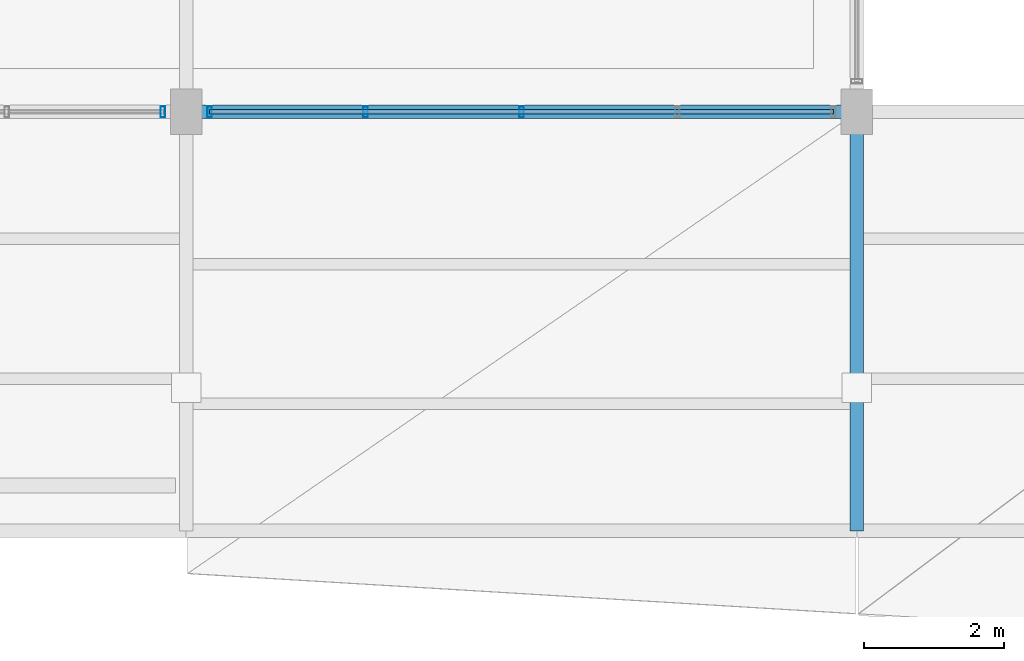
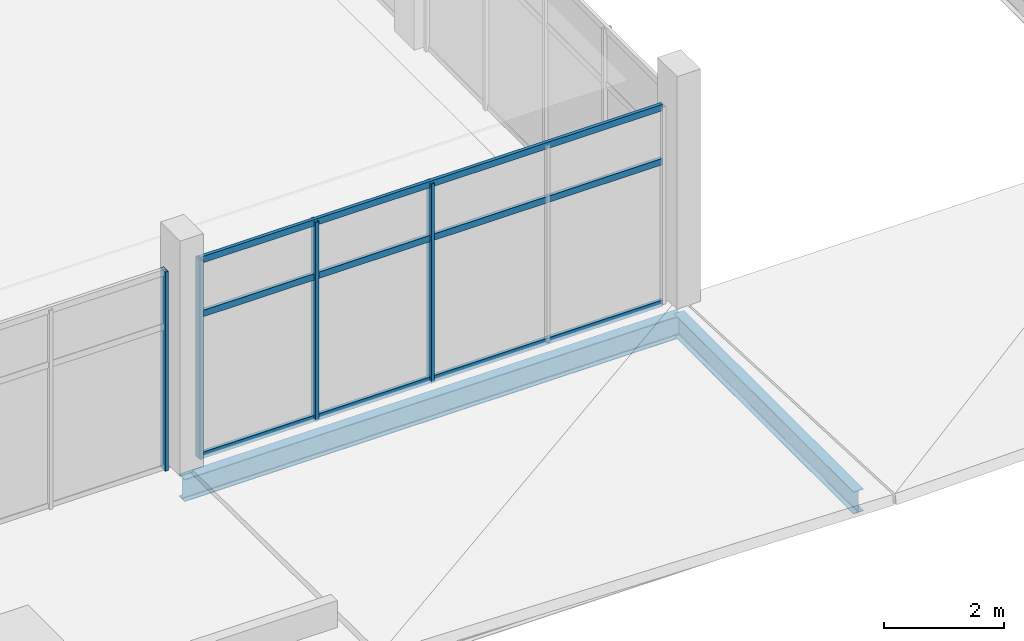
# One storey, part 24 of 157: 7 members, 2 beams, 2 elements without a shape of their own.
"""IFC4 building model written with IfcOpenShell, lengths in metres."""

from ifc_helpers import new_model, si_unit, direction, frame, origin, origin_2d, place, context, subcontext, project, spatial, hollow_rectangle, i_section, extrude, material, layer, layer_set, material_profile, profile_set, type_object, element, aggregate, save


model = new_model("IFC4")

# Units and contexts
model_context = context("Model", 3, precision=1e-05, world=origin(), true_north=direction((0.0, 1.0)))
body_context = subcontext(model_context, "Body", "Model", "MODEL_VIEW")
ifc_project = project(units=[si_unit("LENGTHUNIT", "METRE"), si_unit("AREAUNIT", "SQUARE_METRE"), si_unit("VOLUMEUNIT", "CUBIC_METRE"), si_unit("PLANEANGLEUNIT", "RADIAN"), si_unit("MASSUNIT", "GRAM", prefix="KILO")], contexts=[model_context])

# Site, building, storey
site_placement = place(None, origin())
site = spatial("IfcSite", under=ifc_project, at=site_placement, CompositionType="ELEMENT")
building_placement = place(site_placement, origin())
building = spatial("IfcBuilding", under=site, at=building_placement, Name="Chalmorin Arch Market", CompositionType="ELEMENT")
storey_placement = place(building_placement, frame((0.0, 0.0, 4.800048828125)))
storey = spatial("IfcBuildingStorey", under=building, at=storey_placement, Name="L01", CompositionType="ELEMENT", Elevation=4.800048828125)

# Curtain wall, member
ifc_material_1 = material(Name="Aluminium 6063-T6", Category="aluminium")
ifc_layer = layer(ifc_material_1, 0.159912109375)
ifc_layer_set = layer_set([ifc_layer], Name="Aluminium 6063-T6")
curtain_wall_type = type_object("IfcCurtainWallType", Name="RiverfrontStorefrontCurtainWall-CW2-8930x4070", PredefinedType="NOTDEFINED", material=ifc_layer_set)
curtain_wall_1_placement = place(storey_placement, origin())
curtain_wall_1 = element("IfcCurtainWall", 1, at=curtain_wall_1_placement, inside=storey, type_object=curtain_wall_type, Name="CW-02-096", PredefinedType="NOTDEFINED")
ifc_material_profile_1 = material_profile(ifc_material_1, hollow_rectangle(XDim=0.06494140625, YDim=0.159912109375, WallThickness=0.00390625, at=origin_2d()), Name="ALU65X160X4")
ifc_profile_set_1 = profile_set([ifc_material_profile_1], Name="Aluminium 6063-T6")
member_type_1 = type_object("IfcMemberType", Name="CurtainWallMullion-65x160", PredefinedType="MULLION", material=ifc_profile_set_1)
member_1_placement = place(storey_placement, frame((28.465087890625, 6.0, 0.0), z_axis=(0.0, 0.0, 1.0), x_axis=(1.0, 0.0, 0.0)))
member_1 = element("IfcMember", 2, at=member_1_placement, type_object=member_type_1, Name="ML-096-05", PredefinedType="MULLION", context=body_context, shape_type="SweptSolid", body=[
    extrude(hollow_rectangle(XDim=0.06494140625, YDim=0.159912109375, WallThickness=0.00390625, at=origin_2d()), origin(), (0.0, 0.0, 1.0), 4.06591796875),
])
aggregate(curtain_wall_1, [member_1])

# Curtain wall, members
curtain_wall_2_placement = place(storey_placement, origin())
curtain_wall_2 = element("IfcCurtainWall", 3, at=curtain_wall_2_placement, inside=storey, type_object=curtain_wall_type, Name="CW-02-097", PredefinedType="NOTDEFINED")
member_2_placement = place(storey_placement, frame((29.135009765625, 6.0, 0.0), z_axis=(0.0, 0.0, 1.0), x_axis=(1.0, 0.0, 0.0)))
member_2 = element("IfcMember", 4, at=member_2_placement, type_object=member_type_1, Name="ML-097-01", PredefinedType="MULLION", context=body_context, shape_type="SweptSolid", body=[
    extrude(hollow_rectangle(XDim=0.06494140625, YDim=0.159912109375, WallThickness=0.00390625, at=origin_2d()), origin(), (0.0, 0.0, 1.0), 4.06591796875),
])
member_3_placement = place(storey_placement, frame((31.367431640625, 6.0, 0.0), z_axis=(0.0, 0.0, 1.0), x_axis=(1.0, 0.0, 0.0)))
member_3 = element("IfcMember", 5, at=member_3_placement, type_object=member_type_1, Name="ML-097-02", PredefinedType="MULLION", context=body_context, shape_type="SweptSolid", body=[
    extrude(hollow_rectangle(XDim=0.06494140625, YDim=0.159912109375, WallThickness=0.00390625, at=origin_2d()), origin(), (0.0, 0.0, 1.0), 4.06591796875),
])
member_4_placement = place(storey_placement, frame((33.60009765625, 6.0, 0.0), z_axis=(0.0, 0.0, 1.0), x_axis=(1.0, 0.0, 0.0)))
member_4 = element("IfcMember", 6, at=member_4_placement, type_object=member_type_1, Name="ML-097-03", PredefinedType="MULLION", context=body_context, shape_type="SweptSolid", body=[
    extrude(hollow_rectangle(XDim=0.06494140625, YDim=0.159912109375, WallThickness=0.00390625, at=origin_2d()), origin(), (0.0, 0.0, 1.0), 4.06591796875),
])
ifc_material_profile_2 = material_profile(ifc_material_1, hollow_rectangle(XDim=0.06494140625, YDim=0.1298828125, WallThickness=0.00390625, at=origin_2d()), Name="ALU65X130X4")
ifc_profile_set_2 = profile_set([ifc_material_profile_2], Name="Aluminium 6063-T6")
member_type_2 = type_object("IfcMemberType", Name="CurtainWallTransom-65x130", PredefinedType="USERDEFINED", material=ifc_profile_set_2)
member_5_placement = place(storey_placement, frame((29.135009765625, 6.0, 0.034912109375), z_axis=(1.0, 0.0, 0.0), x_axis=(0.0, 1.0, 0.0)))
member_5 = element("IfcMember", 7, at=member_5_placement, type_object=member_type_2, Name="TR-097-01", ObjectType="TRANSOM", PredefinedType="USERDEFINED", context=body_context, shape_type="SweptSolid", body=[
    extrude(hollow_rectangle(XDim=0.06494140625, YDim=0.1298828125, WallThickness=0.00390625, at=origin_2d()), origin(), (0.0, 0.0, 1.0), 8.929931640625),
])
member_6_placement = place(storey_placement, frame((29.135009765625, 6.0, 2.927490234375), z_axis=(1.0, 0.0, 0.0), x_axis=(0.0, 1.0, 0.0)))
member_6 = element("IfcMember", 8, at=member_6_placement, type_object=member_type_2, Name="TR-097-02", ObjectType="TRANSOM", PredefinedType="USERDEFINED", context=body_context, shape_type="SweptSolid", body=[
    extrude(hollow_rectangle(XDim=0.06494140625, YDim=0.1298828125, WallThickness=0.00390625, at=origin_2d()), origin(), (0.0, 0.0, 1.0), 8.929931640625),
])
member_7_placement = place(storey_placement, frame((29.135009765625, 6.0, 4.031005859375), z_axis=(1.0, 0.0, 0.0), x_axis=(0.0, 1.0, 0.0)))
member_7 = element("IfcMember", 9, at=member_7_placement, type_object=member_type_2, Name="TR-097-03", ObjectType="TRANSOM", PredefinedType="USERDEFINED", context=body_context, shape_type="SweptSolid", body=[
    extrude(hollow_rectangle(XDim=0.06494140625, YDim=0.1298828125, WallThickness=0.00390625, at=origin_2d()), origin(), (0.0, 0.0, 1.0), 8.929931640625),
])
aggregate(curtain_wall_2, [member_2, member_3, member_4, member_5, member_6, member_7])

# Beams
ifc_material_2 = material(Name="Steel A992 Grade 50", Category="steel")
ifc_material_profile_3 = material_profile(ifc_material_2, i_section(OverallWidth=0.19091796875, OverallDepth=0.45703125, WebThickness=0.009033203125, FlangeThickness=0.014404296875, FilletRadius=0.02001953125, at=origin_2d()), Name="W18X50")
ifc_profile_set_3 = profile_set([ifc_material_profile_3], Name="Steel A992 Grade 50")
beam_type_1 = type_object("IfcBeamType", Name="FloorSteelBeam-W18X50", PredefinedType="BEAM", material=ifc_profile_set_3)
beam_1_placement = place(storey_placement, frame((38.39990234375, 0.0, -0.510498046875), z_axis=(0.0, 1.0, 0.0), x_axis=(-1.0, 0.0, 0.0)))
element("IfcBeam", 10, at=beam_1_placement, inside=storey, type_object=beam_type_1, Name="BM-W18B-1032", PredefinedType="BEAM", context=body_context, shape_type="SweptSolid", body=[
    extrude(i_section(OverallWidth=0.19091796875, OverallDepth=0.45703125, WebThickness=0.009033203125, FlangeThickness=0.014404296875, FilletRadius=0.02001953125, at=origin_2d()), origin(), (0.0, 0.0, 1.0), 6.0),
])
ifc_material_profile_4 = material_profile(ifc_material_2, i_section(OverallWidth=0.19091796875, OverallDepth=0.45703125, WebThickness=0.009033203125, FlangeThickness=0.014404296875, FilletRadius=0.02001953125, at=origin_2d()), Name="W18X50")
ifc_profile_set_4 = profile_set([ifc_material_profile_4], Name="Steel A992 Grade 50")
beam_type_2 = type_object("IfcBeamType", Name="PerimeterSpandrelBeam-W18X50", PredefinedType="SPANDREL", material=ifc_profile_set_4)
beam_2_placement = place(storey_placement, frame((28.800048828125, 6.0, -0.510498046875), z_axis=(1.0, 0.0, 0.0), x_axis=(0.0, 1.0, 0.0)))
element("IfcBeam", 11, at=beam_2_placement, inside=storey, type_object=beam_type_2, Name="SP-W18-0834", PredefinedType="SPANDREL", context=body_context, shape_type="SweptSolid", body=[
    extrude(i_section(OverallWidth=0.19091796875, OverallDepth=0.45703125, WebThickness=0.009033203125, FlangeThickness=0.014404296875, FilletRadius=0.02001953125, at=origin_2d()), origin(), (0.0, 0.0, 1.0), 9.599853515625),
])

save(model, "model.ifc")
